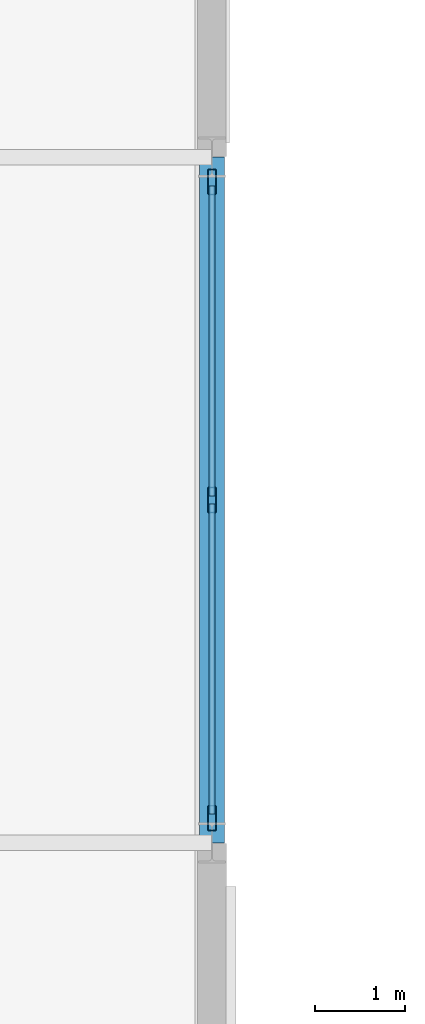
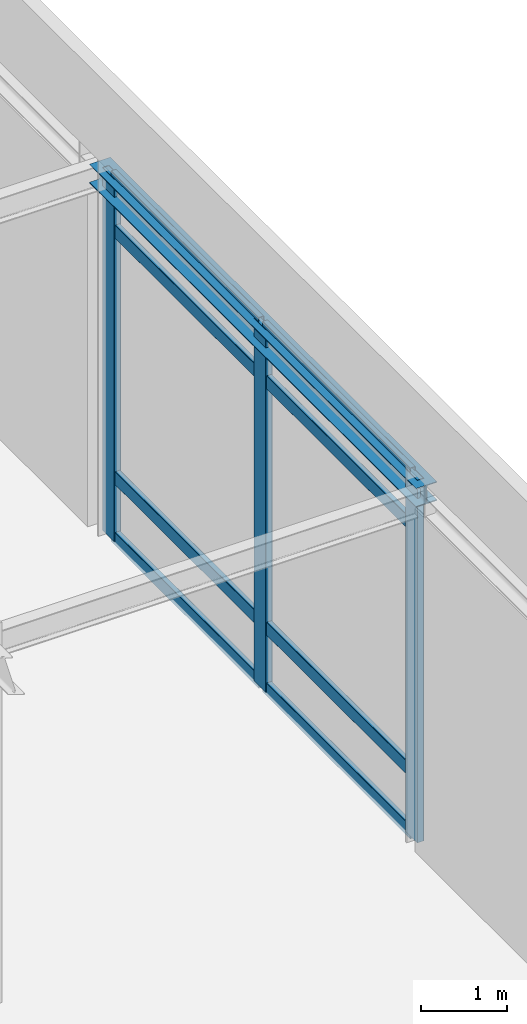
# One storey, part 50 of 89: 11 members, 1 beam, 1 element without a shape of its own.
"""IFC4 building model written with IfcOpenShell, lengths in metres."""

from ifc_helpers import new_model, si_unit, direction, frame, origin, origin_2d, place, context, subcontext, project, spatial, hollow_rectangle, i_section, extrude, material, layer, layer_set, material_profile, profile_set, type_object, element, aggregate, save


model = new_model("IFC4")

# Units and contexts
model_context = context("Model", 3, precision=1e-05, world=origin(), true_north=direction((0.0, 1.0)))
body_context = subcontext(model_context, "Body", "Model", "MODEL_VIEW")
ifc_project = project(units=[si_unit("LENGTHUNIT", "METRE"), si_unit("AREAUNIT", "SQUARE_METRE"), si_unit("VOLUMEUNIT", "CUBIC_METRE"), si_unit("PLANEANGLEUNIT", "RADIAN"), si_unit("MASSUNIT", "GRAM", prefix="KILO")], contexts=[model_context])

# Site, building, storey
site_placement = place(None, origin())
site = spatial("IfcSite", under=ifc_project, at=site_placement, CompositionType="ELEMENT")
building_placement = place(site_placement, origin())
building = spatial("IfcBuilding", under=site, at=building_placement, Name="Shalkamar Park Central Library", CompositionType="ELEMENT")
storey_placement = place(building_placement, origin())
storey = spatial("IfcBuildingStorey", under=building, at=storey_placement, Name="L01", CompositionType="ELEMENT", Elevation=0.0)

# Curtain wall, members
ifc_material_1 = material(Name="Thermally broken aluminium and triple low-e curtain wall", Category="aluminium")
ifc_layer = layer(ifc_material_1, 0.280029296875)
ifc_layer_set = layer_set([ifc_layer], Name="UnitisedCurtainWall_17")
curtain_wall_type = type_object("IfcCurtainWallType", Name="Unitised Curtain Wall 17", PredefinedType="USERDEFINED", material=ifc_layer_set)
curtain_wall_placement = place(storey_placement, origin())
curtain_wall = element("IfcCurtainWall", 1, at=curtain_wall_placement, inside=storey, type_object=curtain_wall_type, Name="Unitised Curtain Wall CW-L01-020", ObjectType="UNITISED CURTAIN WALL", PredefinedType="USERDEFINED")
ifc_material_2 = material(Name="Aluminium 6060-T66", Category="aluminium")
ifc_material_profile_1 = material_profile(ifc_material_2, hollow_rectangle(XDim=0.090087890625, YDim=0.280029296875, WallThickness=0.0048828125, InnerFilletRadius=0.0048828125, OuterFilletRadius=0.007568359375, at=origin_2d()), Name="ALU 90x280x5")
ifc_profile_set_1 = profile_set([ifc_material_profile_1], Name="Aluminium 6060-T66")
member_type_1 = type_object("IfcMemberType", Name="Curtain Wall Mullion ALU90x280", PredefinedType="MULLION", material=ifc_profile_set_1)
member_1_placement = place(storey_placement, frame((288.0, 316.27392578125, 0.0), z_axis=(0.0, 0.0, 1.0), x_axis=(-1.0, 0.0, 0.0)))
member_1 = element("IfcMember", 2, at=member_1_placement, type_object=member_type_1, Name="CW-17 mullion 1", PredefinedType="MULLION", context=body_context, shape_type="SweptSolid", body=[
    extrude(hollow_rectangle(XDim=0.090087890625, YDim=0.280029296875, WallThickness=0.0048828125, InnerFilletRadius=0.0048828125, OuterFilletRadius=0.007568359375, at=origin_2d()), origin(), (0.0, 0.0, 1.0), 5.14990234375),
])
member_2_placement = place(storey_placement, frame((288.0, 319.800048828125, 0.0), z_axis=(0.0, 0.0, 1.0), x_axis=(-1.0, 0.0, 0.0)))
member_2 = element("IfcMember", 3, at=member_2_placement, type_object=member_type_1, Name="CW-17 mullion 2", PredefinedType="MULLION", context=body_context, shape_type="SweptSolid", body=[
    extrude(hollow_rectangle(XDim=0.090087890625, YDim=0.280029296875, WallThickness=0.0048828125, InnerFilletRadius=0.0048828125, OuterFilletRadius=0.007568359375, at=origin_2d()), origin(), (0.0, 0.0, 1.0), 5.14990234375),
])
member_3_placement = place(storey_placement, frame((288.0, 323.325927734375, 0.0), z_axis=(0.0, 0.0, 1.0), x_axis=(-1.0, 0.0, 0.0)))
member_3 = element("IfcMember", 4, at=member_3_placement, type_object=member_type_1, Name="CW-17 mullion 3", PredefinedType="MULLION", context=body_context, shape_type="SweptSolid", body=[
    extrude(hollow_rectangle(XDim=0.090087890625, YDim=0.280029296875, WallThickness=0.0048828125, InnerFilletRadius=0.0048828125, OuterFilletRadius=0.007568359375, at=origin_2d()), origin(), (0.0, 0.0, 1.0), 5.14990234375),
])
ifc_material_profile_2 = material_profile(ifc_material_2, hollow_rectangle(XDim=0.070068359375, YDim=0.18994140625, WallThickness=0.0048828125, InnerFilletRadius=0.0048828125, OuterFilletRadius=0.007568359375, at=origin_2d()), Name="ALU 70x190x5")
ifc_profile_set_2 = profile_set([ifc_material_profile_2], Name="Aluminium 6060-T66")
member_type_2 = type_object("IfcMemberType", Name="Curtain Wall Transom ALU70x190", PredefinedType="USERDEFINED", material=ifc_profile_set_2)
member_4_placement = place(storey_placement, frame((288.0, 316.319091796875, 0.034912109375), z_axis=(0.0, 1.0, 0.0), x_axis=(-1.0, 0.0, 0.0)))
member_4 = element("IfcMember", 5, at=member_4_placement, type_object=member_type_2, Name="CW-17 transom 1.1", ObjectType="TRANSOM", PredefinedType="USERDEFINED", context=body_context, shape_type="SweptSolid", body=[
    extrude(hollow_rectangle(XDim=0.070068359375, YDim=0.18994140625, WallThickness=0.0048828125, InnerFilletRadius=0.0048828125, OuterFilletRadius=0.007568359375, at=origin_2d()), origin(), (0.0, 0.0, 1.0), 3.435791015625),
])
member_5_placement = place(storey_placement, frame((288.0, 316.319091796875, 0.89990234375), z_axis=(0.0, 1.0, 0.0), x_axis=(-1.0, 0.0, 0.0)))
member_5 = element("IfcMember", 6, at=member_5_placement, type_object=member_type_2, Name="CW-17 transom 1.2", ObjectType="TRANSOM", PredefinedType="USERDEFINED", context=body_context, shape_type="SweptSolid", body=[
    extrude(hollow_rectangle(XDim=0.070068359375, YDim=0.18994140625, WallThickness=0.0048828125, InnerFilletRadius=0.0048828125, OuterFilletRadius=0.007568359375, at=origin_2d()), origin(), (0.0, 0.0, 1.0), 3.435791015625),
])
member_6_placement = place(storey_placement, frame((288.0, 316.319091796875, 4.39990234375), z_axis=(0.0, 1.0, 0.0), x_axis=(-1.0, 0.0, 0.0)))
member_6 = element("IfcMember", 7, at=member_6_placement, type_object=member_type_2, Name="CW-17 transom 1.3", ObjectType="TRANSOM", PredefinedType="USERDEFINED", context=body_context, shape_type="SweptSolid", body=[
    extrude(hollow_rectangle(XDim=0.070068359375, YDim=0.18994140625, WallThickness=0.0048828125, InnerFilletRadius=0.0048828125, OuterFilletRadius=0.007568359375, at=origin_2d()), origin(), (0.0, 0.0, 1.0), 3.435791015625),
])
member_7_placement = place(storey_placement, frame((288.0, 316.319091796875, 5.114990234375), z_axis=(0.0, 1.0, 0.0), x_axis=(-1.0, 0.0, 0.0)))
member_7 = element("IfcMember", 8, at=member_7_placement, type_object=member_type_2, Name="CW-17 transom 1.4", ObjectType="TRANSOM", PredefinedType="USERDEFINED", context=body_context, shape_type="SweptSolid", body=[
    extrude(hollow_rectangle(XDim=0.070068359375, YDim=0.18994140625, WallThickness=0.0048828125, InnerFilletRadius=0.0048828125, OuterFilletRadius=0.007568359375, at=origin_2d()), origin(), (0.0, 0.0, 1.0), 3.435791015625),
])
member_8_placement = place(storey_placement, frame((288.0, 319.844970703125, 0.034912109375), z_axis=(0.0, 1.0, 0.0), x_axis=(-1.0, 0.0, 0.0)))
member_8 = element("IfcMember", 9, at=member_8_placement, type_object=member_type_2, Name="CW-17 transom 2.1", ObjectType="TRANSOM", PredefinedType="USERDEFINED", context=body_context, shape_type="SweptSolid", body=[
    extrude(hollow_rectangle(XDim=0.070068359375, YDim=0.18994140625, WallThickness=0.0048828125, InnerFilletRadius=0.0048828125, OuterFilletRadius=0.007568359375, at=origin_2d()), origin(), (0.0, 0.0, 1.0), 3.43603515625),
])
member_9_placement = place(storey_placement, frame((288.0, 319.844970703125, 0.89990234375), z_axis=(0.0, 1.0, 0.0), x_axis=(-1.0, 0.0, 0.0)))
member_9 = element("IfcMember", 10, at=member_9_placement, type_object=member_type_2, Name="CW-17 transom 2.2", ObjectType="TRANSOM", PredefinedType="USERDEFINED", context=body_context, shape_type="SweptSolid", body=[
    extrude(hollow_rectangle(XDim=0.070068359375, YDim=0.18994140625, WallThickness=0.0048828125, InnerFilletRadius=0.0048828125, OuterFilletRadius=0.007568359375, at=origin_2d()), origin(), (0.0, 0.0, 1.0), 3.43603515625),
])
member_10_placement = place(storey_placement, frame((288.0, 319.844970703125, 4.39990234375), z_axis=(0.0, 1.0, 0.0), x_axis=(-1.0, 0.0, 0.0)))
member_10 = element("IfcMember", 11, at=member_10_placement, type_object=member_type_2, Name="CW-17 transom 2.3", ObjectType="TRANSOM", PredefinedType="USERDEFINED", context=body_context, shape_type="SweptSolid", body=[
    extrude(hollow_rectangle(XDim=0.070068359375, YDim=0.18994140625, WallThickness=0.0048828125, InnerFilletRadius=0.0048828125, OuterFilletRadius=0.007568359375, at=origin_2d()), origin(), (0.0, 0.0, 1.0), 3.43603515625),
])
member_11_placement = place(storey_placement, frame((288.0, 319.844970703125, 5.114990234375), z_axis=(0.0, 1.0, 0.0), x_axis=(-1.0, 0.0, 0.0)))
member_11 = element("IfcMember", 12, at=member_11_placement, type_object=member_type_2, Name="CW-17 transom 2.4", ObjectType="TRANSOM", PredefinedType="USERDEFINED", context=body_context, shape_type="SweptSolid", body=[
    extrude(hollow_rectangle(XDim=0.070068359375, YDim=0.18994140625, WallThickness=0.0048828125, InnerFilletRadius=0.0048828125, OuterFilletRadius=0.007568359375, at=origin_2d()), origin(), (0.0, 0.0, 1.0), 3.43603515625),
])
aggregate(curtain_wall, [member_1, member_2, member_3, member_4, member_5, member_6, member_7, member_8, member_9, member_10, member_11])

# Beam
ifc_material_3 = material(Name="Steel S355", Category="steel")
ifc_material_profile_3 = material_profile(ifc_material_3, i_section(OverallWidth=0.280029296875, OverallDepth=0.27001953125, WebThickness=0.008056640625, FlangeThickness=0.012939453125, FilletRadius=0.02392578125, at=origin_2d()), Name="HEA 280")
ifc_profile_set_3 = profile_set([ifc_material_profile_3], Name="Steel S355")
beam_type = type_object("IfcBeamType", Name="Perimeter Spandrel Beam HEA280", PredefinedType="SPANDREL", material=ifc_profile_set_3)
beam_placement = place(storey_placement, frame((288.0, 316.0, 5.014892578125), z_axis=(0.0, 1.0, 0.0), x_axis=(-1.0, 0.0, 0.0)))
element("IfcBeam", 13, at=beam_placement, inside=storey, type_object=beam_type, Name="Beam 22:L-M (L01)", PredefinedType="SPANDREL", context=body_context, shape_type="SweptSolid", body=[
    extrude(i_section(OverallWidth=0.280029296875, OverallDepth=0.27001953125, WebThickness=0.008056640625, FlangeThickness=0.012939453125, FilletRadius=0.02392578125, at=origin_2d()), origin(), (0.0, 0.0, 1.0), 7.60009765625),
])

save(model, "model.ifc")
